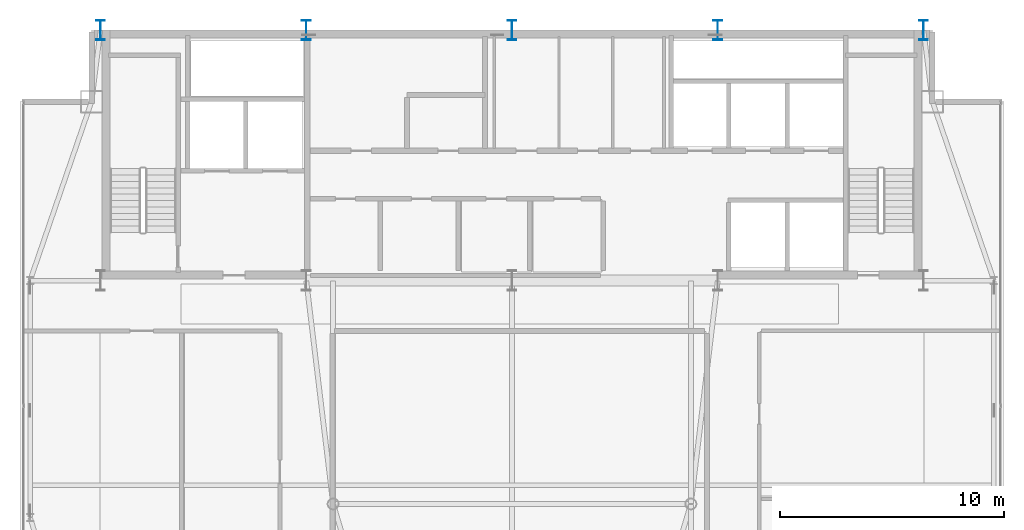
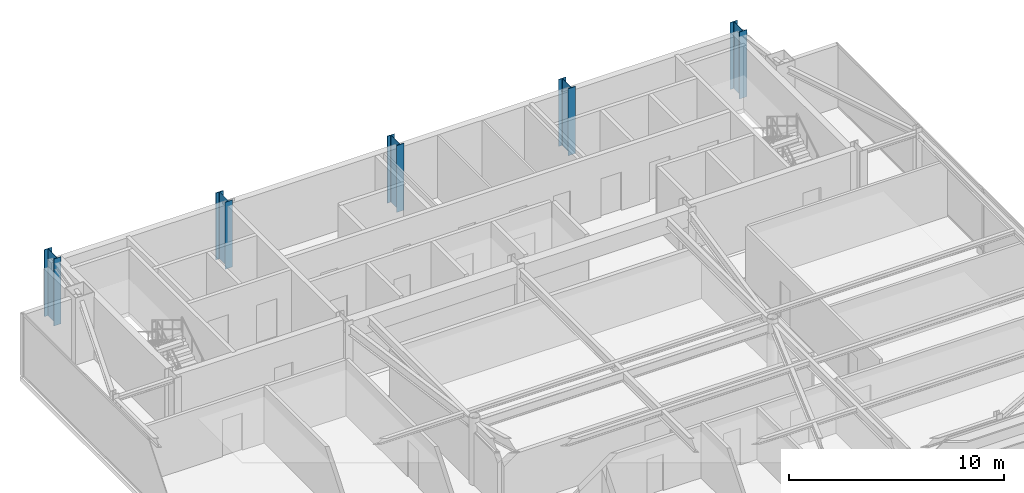
# One storey, part 3 of 24: 5 columns.
"""IFC4 building model written with IfcOpenShell, lengths in metres."""

from ifc_helpers import new_model, si_unit, direction, frame, origin, origin_2d, place, context, subcontext, project, spatial, i_section, extrude, source, transform, mapped, material, material_profile, profile_set, type_object, type_shapes, element, save


model = new_model("IFC4")

# Units and contexts
model_context = context("Model", 3, precision=1e-05, world=origin(), true_north=direction((0.0, 1.0)))
body_context = subcontext(model_context, "Body", "Model", "MODEL_VIEW")
ifc_project = project(units=[si_unit("LENGTHUNIT", "METRE"), si_unit("AREAUNIT", "SQUARE_METRE"), si_unit("VOLUMEUNIT", "CUBIC_METRE"), si_unit("PLANEANGLEUNIT", "RADIAN"), si_unit("MASSUNIT", "GRAM", prefix="KILO")], contexts=[model_context])

# Site, building, storey
site_placement = place(None, origin())
site = spatial("IfcSite", under=ifc_project, at=site_placement, CompositionType="ELEMENT")
building_placement = place(site_placement, origin())
building = spatial("IfcBuilding", under=site, at=building_placement, Name="Varnel Quay Broadcast Tower", CompositionType="ELEMENT")
storey_placement = place(building_placement, frame((0.0, 0.0, 292.60009765625)))
storey = spatial("IfcBuildingStorey", under=building, at=storey_placement, Name="L73", CompositionType="ELEMENT", Elevation=292.60009765625)

# Columns
ifc_material = material(Name="Structural Steel CSA G40.21 350WT", Category="steel")
ifc_material_profile = material_profile(ifc_material, i_section(OverallWidth=0.39990234375, OverallDepth=0.89990234375, WebThickness=0.01611328125, FlangeThickness=0.028076171875, FilletRadius=0.01611328125, at=origin_2d()), Name="WWF900X309")
ifc_profile_set = profile_set([ifc_material_profile], Name="Structural Steel CSA G40.21 350WT")
column_type = type_object("IfcColumnType", Name="Col_WWF900X309", PredefinedType="COLUMN", material=ifc_profile_set)
shared_shape = source(origin(), body_context, "Body", "SweptSolid", [
    extrude(i_section(OverallWidth=0.39990234375, OverallDepth=0.89990234375, WebThickness=0.01611328125, FlangeThickness=0.028076171875, FilletRadius=0.01611328125, at=origin_2d()), origin(), (0.0, 0.0, 1.0), 3.7998046875),
])
type_shapes(column_type, [shared_shape])
for number, where, z_axis, x_axis, name in (
    (1, (15.60009765625, 46.800048828125, 0.0), (0.0, 0.0, 1.0), (1.0, 0.0, 0.0), "L73 Column CC-N1"),
    (2, (24.800048828125, 46.800048828125, 0.0), (0.0, 0.0, 1.0), (1.0, 0.0, 0.0), "L73 Column CC-N2"),
    (3, (34.0, 46.800048828125, 0.0), (0.0, 0.0, 1.0), (1.0, 0.0, 0.0), "L73 Column CC-N3"),
    (4, (43.199951171875, 46.800048828125, 0.0), (0.0, 0.0, 1.0), (1.0, 0.0, 0.0), "L73 Column CC-N4"),
    (5, (52.39990234375, 46.800048828125, 0.0), (0.0, 0.0, 1.0), (1.0, 0.0, 0.0), "L73 Column CC-N5"),
):
    element("IfcColumn", number, at=place(storey_placement, frame(where, z_axis=z_axis, x_axis=x_axis)), inside=storey, type_object=column_type, Name=name, PredefinedType="COLUMN", context=body_context, shape_type="MappedRepresentation", body=[
        mapped(shared_shape, transform((0.0, 0.0, 0.0), x_axis=(1.0, 0.0, 0.0), y_axis=(0.0, 1.0, 0.0), z_axis=(0.0, 0.0, 1.0), scale=1.0)),
    ])

save(model, "model.ifc")
